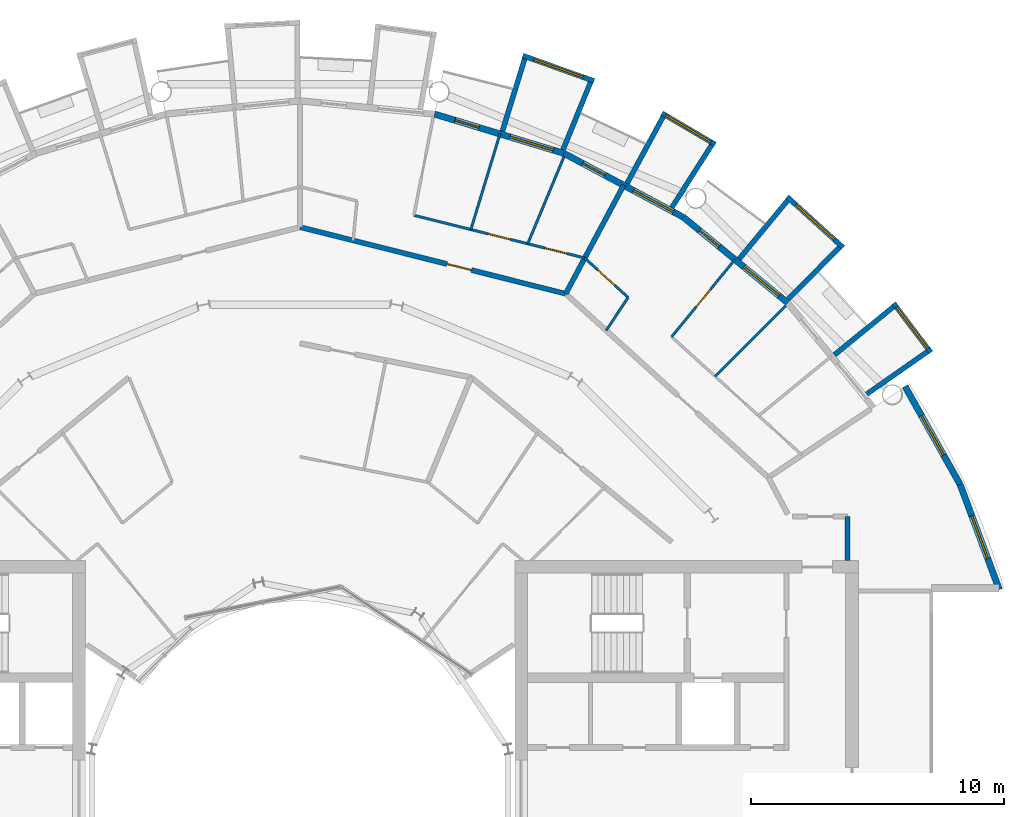
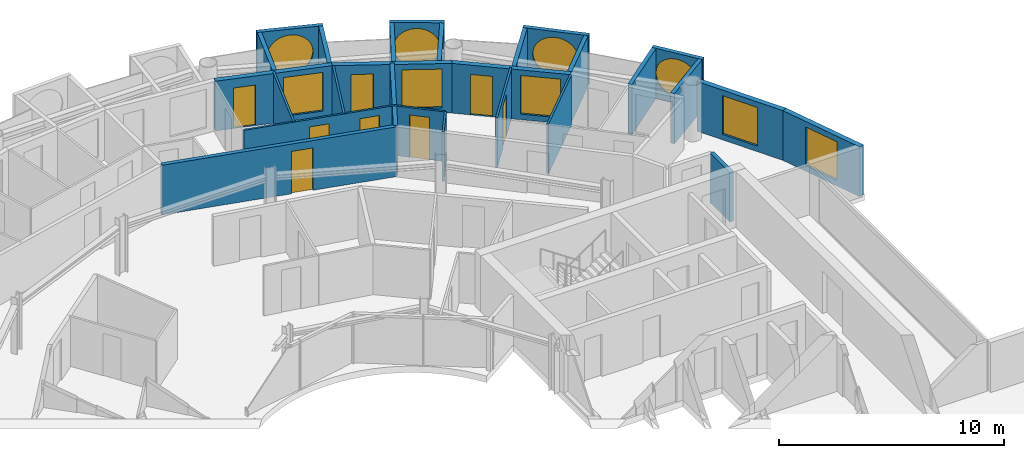
# One storey, part 23 of 26: 27 walls, 9 windows, 8 doors, 17 openings.
"""IFC4 building model written with IfcOpenShell, lengths in metres."""

from ifc_helpers import new_model, si_unit, direction, frame, frame_2d, origin, place, context, subcontext, project, spatial, rectangle, circle, extrude, material, layer, layer_set, type_object, element, fill, save


model = new_model("IFC4")

# Units and contexts
model_context = context("Model", 3, precision=1e-05, world=origin(), true_north=direction((0.0, 1.0)))
body_context = subcontext(model_context, "Body", "Model", "MODEL_VIEW")
ifc_project = project(units=[si_unit("LENGTHUNIT", "METRE"), si_unit("AREAUNIT", "SQUARE_METRE"), si_unit("VOLUMEUNIT", "CUBIC_METRE"), si_unit("PLANEANGLEUNIT", "RADIAN"), si_unit("MASSUNIT", "GRAM", prefix="KILO")], contexts=[model_context])

# Site, building, storey
site_placement = place(None, origin())
site = spatial("IfcSite", under=ifc_project, at=site_placement, CompositionType="ELEMENT")
building_placement = place(site_placement, origin())
building = spatial("IfcBuilding", under=site, at=building_placement, Name="Maasbend Ring Residences", CompositionType="ELEMENT")
storey_placement = place(building_placement, frame((0.0, 0.0, 161.60009765625)))
storey = spatial("IfcBuildingStorey", under=building, at=storey_placement, Name="L46", CompositionType="ELEMENT", Elevation=161.60009765625)

# Wall
ifc_material_1 = material(Name="Concrete C30/37", Category="concrete")
ifc_layer_1 = layer(ifc_material_1, 0.199951171875)
ifc_layer_set_1 = layer_set([ifc_layer_1], Name="Concrete C30/37")
wall_type_1 = type_object("IfcWallType", Name="CORRIDOR WALL 200 CONCRETE", PredefinedType="PARTITIONING", material=ifc_layer_set_1)
wall_1_placement = place(storey_placement, frame((21.675048828125, 9.10009765625, 0.0), z_axis=(0.0, 0.0, 1.0), x_axis=(0.0, 1.0, 0.0)))
element("IfcWall", 1, at=wall_1_placement, inside=storey, type_object=wall_type_1, Name="U-L46-w012", PredefinedType="PARTITIONING", context=body_context, shape_type="SweptSolid", body=[
    extrude(rectangle(XDim=1.75, YDim=0.199951171875, at=frame_2d((0.875, 0.0))), origin(), (0.0, 0.0, 1.0), 2.699951171875),
])

# Wall, opening, door
wall_2_placement = place(storey_placement, frame((0.0, 22.300048828125, 0.0), z_axis=(0.0, 0.0, 1.0), x_axis=(0.969975381822, -0.243203122222, 0.0)))
wall_2 = element("IfcWall", 2, at=wall_2_placement, inside=storey, type_object=wall_type_1, Name="U-L46-w106", PredefinedType="PARTITIONING", context=body_context, shape_type="SweptSolid", body=[
    extrude(rectangle(XDim=10.842529296875, YDim=0.199951171875, at=frame_2d((5.42138671875, 0.0))), origin(), (0.0, 0.0, 1.0), 2.699951171875),
])
opening_1_placement = place(wall_2_placement, frame((6.001953125, 0.0, 0.0)))
opening_1 = element("IfcOpeningElement", 3, at=opening_1_placement, cuts=wall_2, Name="Opening D-4606", PredefinedType="OPENING", context=body_context, shape_type="SweptSolid", body=[
    extrude(rectangle(XDim=1.0, YDim=2.300048828125, at=frame_2d((0.5, 1.14990234375))), frame((0.0, 0.10986328125, 0.0), z_axis=(0.0, -1.0, 0.0), x_axis=(1.0, 0.0, 0.0)), (0.0, 0.0, 1.0), 0.219970703125),
])
ifc_material_2 = material(Name="Timber, fire-rated, painted", Category="wood")
door_type_1 = type_object("IfcDoorType", Name="FLAT ENTRANCE DOOR 1000 X 2300 FIRE-RATED", OperationType="NOTDEFINED", PredefinedType="DOOR", material=ifc_material_2)
door_1_placement = place(opening_1_placement, origin())
door_1 = element("IfcDoor", 4, at=door_1_placement, inside=storey, type_object=door_type_1, Name="D-4606", OperationType="SINGLE_SWING_RIGHT", OverallHeight=2.300048828125, OverallWidth=1.0, PredefinedType="DOOR", context=body_context, shape_type="SweptSolid", body=[
    extrude(rectangle(XDim=1.0, YDim=2.300048828125, at=frame_2d((0.5, 1.14990234375))), frame((0.0, 0.02490234375, 0.0), z_axis=(0.0, -1.0, 0.0), x_axis=(1.0, 0.0, 0.0)), (0.0, 0.0, 1.0), 0.050048828125),
])
fill(opening_1, door_1)

# Wall, opening, window
ifc_material_3 = material(Name="Pale anodised aluminium panel", Category="aluminium")
ifc_layer_2 = layer(ifc_material_3, 0.199951171875)
ifc_layer_set_2 = layer_set([ifc_layer_2], Name="EW-BOX")
wall_type_2 = type_object("IfcWallType", Name="EW-BOX", PredefinedType="SOLIDWALL", material=ifc_layer_set_2)
wall_3_placement = place(storey_placement, frame((24.971923828125, 17.3369140625, -0.030029296875), z_axis=(0.0, 0.0, 1.0), x_axis=(-0.602806268067, 0.797887588059, 0.0)))
wall_3 = element("IfcWall", 5, at=wall_3_placement, inside=storey, type_object=wall_type_2, Name="Box front N01", PredefinedType="SOLIDWALL", context=body_context, shape_type="SweptSolid", body=[
    extrude(rectangle(XDim=2.446533203125, YDim=0.199951171875, at=frame_2d((1.22314453125, 0.0))), origin(), (0.0, 0.0, 1.0), 2.72998046875),
])
opening_2_placement = place(wall_3_placement, frame((0.182861328125, 0.0, 0.330078125)))
opening_2 = element("IfcOpeningElement", 6, at=opening_2_placement, cuts=wall_3, Name="Opening W-RD", PredefinedType="OPENING", context=body_context, shape_type="SweptSolid", body=[
    extrude(circle(Radius=1.0400390625, at=frame_2d((1.0400390625, 1.0400390625))), frame((0.0, 0.10986328125, 0.0), z_axis=(0.0, -1.0, 0.0), x_axis=(1.0, 0.0, 0.0)), (0.0, 0.0, 1.0), 0.219970703125),
])
ifc_material_4 = material(Name="Aluminium and clear glass", Category="aluminium")
window_type_1 = type_object("IfcWindowType", Name="W-RD", PartitioningType="SINGLE_PANEL", PredefinedType="WINDOW", material=ifc_material_4)
window_1_placement = place(opening_2_placement, origin())
window_1 = element("IfcWindow", 7, at=window_1_placement, inside=storey, type_object=window_type_1, Name="Round window N01", OverallHeight=2.080078125, OverallWidth=2.080078125, PartitioningType="SINGLE_PANEL", PredefinedType="WINDOW", context=body_context, shape_type="SweptSolid", body=[
    extrude(circle(Radius=1.0400390625, at=frame_2d((1.0400390625, 1.0400390625))), frame((0.0, 0.030029296875, 0.0), z_axis=(0.0, -1.0, 0.0), x_axis=(1.0, 0.0, 0.0)), (0.0, 0.0, 1.0), 0.06005859375),
])
fill(opening_2, window_1)

# Walls
wall_4_placement = place(storey_placement, frame((22.43310546875, 15.68798828125, -0.030029296875), z_axis=(0.0, 0.0, 1.0), x_axis=(0.819373043115, 0.573260687834, 0.0)))
element("IfcWall", 8, at=wall_4_placement, inside=storey, type_object=wall_type_2, Name="Box side wall N01 left", PredefinedType="SOLIDWALL", context=body_context, shape_type="SweptSolid", body=[
    extrude(rectangle(XDim=2.92529296875, YDim=0.199951171875, at=frame_2d((1.462646484375, 0.0))), origin(), (0.0, 0.0, 1.0), 2.72998046875),
])
wall_5_placement = place(storey_placement, frame((21.155029296875, 17.24609375, -0.030029296875), z_axis=(0.0, 0.0, 1.0), x_axis=(0.775179004516, 0.631741648902, 0.0)))
element("IfcWall", 9, at=wall_5_placement, inside=storey, type_object=wall_type_2, Name="Box side wall N01 right", PredefinedType="SOLIDWALL", context=body_context, shape_type="SweptSolid", body=[
    extrude(rectangle(XDim=3.005859375, YDim=0.199951171875, at=frame_2d((1.5029296875, 0.0))), origin(), (0.0, 0.0, 1.0), 2.72998046875),
])

# Wall, opening, window
wall_6_placement = place(storey_placement, frame((21.5, 21.492919921875, -0.030029296875), z_axis=(0.0, 0.0, 1.0), x_axis=(-0.740998365753, 0.671506829416, 0.0)))
wall_6 = element("IfcWall", 10, at=wall_6_placement, inside=storey, type_object=wall_type_2, Name="Box front N03", PredefinedType="SOLIDWALL", context=body_context, shape_type="SweptSolid", body=[
    extrude(rectangle(XDim=2.9931640625, YDim=0.199951171875, at=frame_2d((1.49658203125, 0.0))), origin(), (0.0, 0.0, 1.0), 2.72998046875),
])
opening_3_placement = place(wall_6_placement, frame((0.45654296875, 0.0, 0.330078125)))
opening_3 = element("IfcOpeningElement", 11, at=opening_3_placement, cuts=wall_6, Name="Opening W-RD", PredefinedType="OPENING", context=body_context, shape_type="SweptSolid", body=[
    extrude(circle(Radius=1.0400390625, at=frame_2d((1.0400390625, 1.0400390625))), frame((0.0, 0.10986328125, 0.0), z_axis=(0.0, -1.0, 0.0), x_axis=(1.0, 0.0, 0.0)), (0.0, 0.0, 1.0), 0.219970703125),
])
window_2_placement = place(opening_3_placement, origin())
window_2 = element("IfcWindow", 12, at=window_2_placement, inside=storey, type_object=window_type_1, Name="Round window N03", OverallHeight=2.080078125, OverallWidth=2.080078125, PartitioningType="SINGLE_PANEL", PredefinedType="WINDOW", context=body_context, shape_type="SweptSolid", body=[
    extrude(circle(Radius=1.0400390625, at=frame_2d((1.0400390625, 1.0400390625))), frame((0.0, 0.030029296875, 0.0), z_axis=(0.0, -1.0, 0.0), x_axis=(1.0, 0.0, 0.0)), (0.0, 0.0, 1.0), 0.06005859375),
])
fill(opening_3, window_2)

# Walls
wall_7_placement = place(storey_placement, frame((19.322998046875, 19.449951171875, -0.030029296875), z_axis=(0.0, 0.0, 1.0), x_axis=(0.704476739375, 0.709727076896, 0.0)))
element("IfcWall", 13, at=wall_7_placement, inside=storey, type_object=wall_type_2, Name="Box side wall N03 left", PredefinedType="SOLIDWALL", context=body_context, shape_type="SweptSolid", body=[
    extrude(rectangle(XDim=2.883056640625, YDim=0.199951171875, at=frame_2d((1.44140625, 0.0))), origin(), (0.0, 0.0, 1.0), 2.72998046875),
])
wall_8_placement = place(storey_placement, frame((17.384033203125, 21.041015625, -0.030029296875), z_axis=(0.0, 0.0, 1.0), x_axis=(0.63709551667, 0.770784861449, 0.0)))
element("IfcWall", 14, at=wall_8_placement, inside=storey, type_object=wall_type_2, Name="Box side wall N03 right", PredefinedType="SOLIDWALL", context=body_context, shape_type="SweptSolid", body=[
    extrude(rectangle(XDim=3.005859375, YDim=0.199951171875, at=frame_2d((1.5029296875, 0.0))), origin(), (0.0, 0.0, 1.0), 2.72998046875),
])

# Wall, opening, window
wall_9_placement = place(storey_placement, frame((16.43603515625, 25.573974609375, -0.030029296875), z_axis=(0.0, 0.0, 1.0), x_axis=(-0.862403467503, 0.506221551535, 0.0)))
wall_9 = element("IfcWall", 15, at=wall_9_placement, inside=storey, type_object=wall_type_2, Name="Box front N05", PredefinedType="SOLIDWALL", context=body_context, shape_type="SweptSolid", body=[
    extrude(rectangle(XDim=2.445556640625, YDim=0.199951171875, at=frame_2d((1.22265625, 0.0))), origin(), (0.0, 0.0, 1.0), 2.72998046875),
])
opening_4_placement = place(wall_9_placement, frame((0.182861328125, 0.0, 0.330078125)))
opening_4 = element("IfcOpeningElement", 16, at=opening_4_placement, cuts=wall_9, Name="Opening W-RD", PredefinedType="OPENING", context=body_context, shape_type="SweptSolid", body=[
    extrude(circle(Radius=1.0400390625, at=frame_2d((1.0400390625, 1.0400390625))), frame((0.0, 0.10986328125, 0.0), z_axis=(0.0, -1.0, 0.0), x_axis=(1.0, 0.0, 0.0)), (0.0, 0.0, 1.0), 0.219970703125),
])
window_3_placement = place(opening_4_placement, origin())
window_3 = element("IfcWindow", 17, at=window_3_placement, inside=storey, type_object=window_type_1, Name="Round window N05", OverallHeight=2.080078125, OverallWidth=2.080078125, PartitioningType="SINGLE_PANEL", PredefinedType="WINDOW", context=body_context, shape_type="SweptSolid", body=[
    extrude(circle(Radius=1.0400390625, at=frame_2d((1.0400390625, 1.0400390625))), frame((0.0, 0.030029296875, 0.0), z_axis=(0.0, -1.0, 0.0), x_axis=(1.0, 0.0, 0.0)), (0.0, 0.0, 1.0), 0.06005859375),
])
fill(opening_4, window_3)

# Walls
wall_10_placement = place(storey_placement, frame((14.721923828125, 23.0791015625, -0.030029296875), z_axis=(0.0, 0.0, 1.0), x_axis=(0.537572179146, 0.843217737129, 0.0)))
element("IfcWall", 18, at=wall_10_placement, inside=storey, type_object=wall_type_2, Name="Box side wall N05 left", PredefinedType="SOLIDWALL", context=body_context, shape_type="SweptSolid", body=[
    extrude(rectangle(XDim=2.92431640625, YDim=0.199951171875, at=frame_2d((1.462158203125, 0.0))), origin(), (0.0, 0.0, 1.0), 2.72998046875),
])
wall_11_placement = place(storey_placement, frame((12.945068359375, 24.029052734375, -0.030029296875), z_axis=(0.0, 0.0, 1.0), x_axis=(0.474424310775, 0.88029629861, 0.0)))
element("IfcWall", 19, at=wall_11_placement, inside=storey, type_object=wall_type_2, Name="Box side wall N05 right", PredefinedType="SOLIDWALL", context=body_context, shape_type="SweptSolid", body=[
    extrude(rectangle(XDim=3.005859375, YDim=0.199951171875, at=frame_2d((1.5029296875, 0.0))), origin(), (0.0, 0.0, 1.0), 2.72998046875),
])

# Wall, opening, window
wall_12_placement = place(storey_placement, frame((11.637939453125, 28.083984375, -0.030029296875), z_axis=(0.0, 0.0, 1.0), x_axis=(-0.941461077774, 0.337121697664, 0.0)))
wall_12 = element("IfcWall", 20, at=wall_12_placement, inside=storey, type_object=wall_type_2, Name="Box front N07", PredefinedType="SOLIDWALL", context=body_context, shape_type="SweptSolid", body=[
    extrude(rectangle(XDim=2.9931640625, YDim=0.199951171875, at=frame_2d((1.49658203125, 0.0))), origin(), (0.0, 0.0, 1.0), 2.72998046875),
])
opening_5_placement = place(wall_12_placement, frame((0.45654296875, 0.0, 0.330078125)))
opening_5 = element("IfcOpeningElement", 21, at=opening_5_placement, cuts=wall_12, Name="Opening W-RD", PredefinedType="OPENING", context=body_context, shape_type="SweptSolid", body=[
    extrude(circle(Radius=1.0400390625, at=frame_2d((1.0400390625, 1.0400390625))), frame((0.0, 0.10986328125, 0.0), z_axis=(0.0, -1.0, 0.0), x_axis=(1.0, 0.0, 0.0)), (0.0, 0.0, 1.0), 0.219970703125),
])
window_4_placement = place(opening_5_placement, origin())
window_4 = element("IfcWindow", 22, at=window_4_placement, inside=storey, type_object=window_type_1, Name="Round window N07", OverallHeight=2.080078125, OverallWidth=2.080078125, PartitioningType="SINGLE_PANEL", PredefinedType="WINDOW", context=body_context, shape_type="SweptSolid", body=[
    extrude(circle(Radius=1.0400390625, at=frame_2d((1.0400390625, 1.0400390625))), frame((0.0, 0.030029296875, 0.0), z_axis=(0.0, -1.0, 0.0), x_axis=(1.0, 0.0, 0.0)), (0.0, 0.0, 1.0), 0.06005859375),
])
fill(opening_5, window_4)

# Walls
wall_13_placement = place(storey_placement, frame((10.408935546875, 25.364013671875, -0.030029296875), z_axis=(0.0, 0.0, 1.0), x_axis=(0.379509886562, 0.925187681501, 0.0)))
element("IfcWall", 23, at=wall_13_placement, inside=storey, type_object=wall_type_2, Name="Box side wall N07 left", PredefinedType="SOLIDWALL", context=body_context, shape_type="SweptSolid", body=[
    extrude(rectangle(XDim=2.882568359375, YDim=0.199951171875, at=frame_2d((1.44140625, 0.0))), origin(), (0.0, 0.0, 1.0), 2.72998046875),
])
wall_14_placement = place(storey_placement, frame((8.009033203125, 26.092041015625, -0.030029296875), z_axis=(0.0, 0.0, 1.0), x_axis=(0.293406695073, 0.955987715029, 0.0)))
element("IfcWall", 24, at=wall_14_placement, inside=storey, type_object=wall_type_2, Name="Box side wall N07 right", PredefinedType="SOLIDWALL", context=body_context, shape_type="SweptSolid", body=[
    extrude(rectangle(XDim=3.00634765625, YDim=0.199951171875, at=frame_2d((1.503173828125, 0.0))), origin(), (0.0, 0.0, 1.0), 2.72998046875),
])

# Wall, openings, door, window
ifc_material_5 = material(Name="Aluminium clad insulated panel", Category="aluminium")
ifc_layer_3 = layer(ifc_material_5, 0.25)
ifc_layer_set_3 = layer_set([ifc_layer_3], Name="EW-GL")
wall_type_3 = type_object("IfcWallType", Name="EW-GL", PredefinedType="SOLIDWALL", material=ifc_layer_set_3)
wall_15_placement = place(storey_placement, frame((19.303955078125, 19.303955078125, 0.0), z_axis=(0.0, 0.0, 1.0), x_axis=(-0.773019449054, 0.634382322723, 0.0)))
wall_15 = element("IfcWall", 25, at=wall_15_placement, inside=storey, type_object=wall_type_3, Name="External wall N02", PredefinedType="SOLIDWALL", context=body_context, shape_type="SweptSolid", body=[
    extrude(rectangle(XDim=5.351806640625, YDim=0.25, at=frame_2d((2.67578125, 0.0))), origin(), (0.0, 0.0, 1.0), 2.699951171875),
])
opening_6_placement = place(wall_15_placement, frame((0.441162109375, 0.0, 0.300048828125)))
opening_6 = element("IfcOpeningElement", 26, at=opening_6_placement, cuts=wall_15, Name="Opening W-BX", PredefinedType="OPENING", context=body_context, shape_type="SweptSolid", body=[
    extrude(rectangle(XDim=1.800048828125, YDim=2.10009765625, at=frame_2d((0.89990234375, 1.050048828125))), frame((0.0, 0.135009765625, 0.0), z_axis=(0.0, -1.0, 0.0), x_axis=(1.0, 0.0, 0.0)), (0.0, 0.0, 1.0), 0.27001953125),
])
opening_7_placement = place(wall_15_placement, frame((3.510498046875, 0.0, 0.0)))
opening_7 = element("IfcOpeningElement", 27, at=opening_7_placement, cuts=wall_15, Name="Opening D-LG", PredefinedType="OPENING", context=body_context, shape_type="SweptSolid", body=[
    extrude(rectangle(XDim=1.0, YDim=2.199951171875, at=frame_2d((0.5, 1.10009765625))), frame((0.0, 0.135009765625, 0.0), z_axis=(0.0, -1.0, 0.0), x_axis=(1.0, 0.0, 0.0)), (0.0, 0.0, 1.0), 0.27001953125),
])
ifc_material_6 = material(Name="Aluminium and clear glass", Category="aluminium")
door_type_2 = type_object("IfcDoorType", Name="D-LG", OperationType="SINGLE_SWING_LEFT", PredefinedType="DOOR", material=ifc_material_6)
door_2_placement = place(opening_7_placement, origin())
door_2 = element("IfcDoor", 28, at=door_2_placement, inside=storey, type_object=door_type_2, Name="Loggia door N04", OperationType="SINGLE_SWING_LEFT", OverallHeight=2.199951171875, OverallWidth=1.0, PredefinedType="DOOR", context=body_context, shape_type="SweptSolid", body=[
    extrude(rectangle(XDim=1.0, YDim=2.199951171875, at=frame_2d((0.5, 1.10009765625))), frame((0.0, 0.02490234375, 0.0), z_axis=(0.0, -1.0, 0.0), x_axis=(1.0, 0.0, 0.0)), (0.0, 0.0, 1.0), 0.050048828125),
])
fill(opening_7, door_2)
ifc_material_7 = material(Name="Aluminium and clear glass", Category="aluminium")
window_type_2 = type_object("IfcWindowType", Name="W-BX", PartitioningType="DOUBLE_PANEL_VERTICAL", PredefinedType="WINDOW", material=ifc_material_7)
window_5_placement = place(opening_6_placement, origin())
window_5 = element("IfcWindow", 29, at=window_5_placement, inside=storey, type_object=window_type_2, Name="Window N03 room to box", OverallHeight=2.10009765625, OverallWidth=1.800048828125, PartitioningType="SINGLE_PANEL", PredefinedType="WINDOW", context=body_context, shape_type="SweptSolid", body=[
    extrude(rectangle(XDim=1.800048828125, YDim=2.10009765625, at=frame_2d((0.89990234375, 1.050048828125))), frame((0.0, 0.030029296875, 0.0), z_axis=(0.0, -1.0, 0.0), x_axis=(1.0, 0.0, 0.0)), (0.0, 0.0, 1.0), 0.06005859375),
])
fill(opening_6, window_5)

wall_16_placement = place(storey_placement, frame((15.1669921875, 22.698974609375, 0.0), z_axis=(0.0, 0.0, 1.0), x_axis=(-0.881915646801, 0.471407246368, 0.0)))
wall_16 = element("IfcWall", 30, at=wall_16_placement, inside=storey, type_object=wall_type_3, Name="External wall N03", PredefinedType="SOLIDWALL", context=body_context, shape_type="SweptSolid", body=[
    extrude(rectangle(XDim=5.35205078125, YDim=0.25, at=frame_2d((2.676025390625, 0.0))), origin(), (0.0, 0.0, 1.0), 2.699951171875),
])
opening_8_placement = place(wall_16_placement, frame((0.441162109375, 0.0, 0.300048828125)))
opening_8 = element("IfcOpeningElement", 31, at=opening_8_placement, cuts=wall_16, Name="Opening W-BX", PredefinedType="OPENING", context=body_context, shape_type="SweptSolid", body=[
    extrude(rectangle(XDim=1.800048828125, YDim=2.10009765625, at=frame_2d((0.89990234375, 1.050048828125))), frame((0.0, 0.135009765625, 0.0), z_axis=(0.0, -1.0, 0.0), x_axis=(1.0, 0.0, 0.0)), (0.0, 0.0, 1.0), 0.27001953125),
])
opening_9_placement = place(wall_16_placement, frame((3.510498046875, 0.0, 0.0)))
opening_9 = element("IfcOpeningElement", 32, at=opening_9_placement, cuts=wall_16, Name="Opening D-LG", PredefinedType="OPENING", context=body_context, shape_type="SweptSolid", body=[
    extrude(rectangle(XDim=1.0, YDim=2.199951171875, at=frame_2d((0.5, 1.10009765625))), frame((0.0, 0.135009765625, 0.0), z_axis=(0.0, -1.0, 0.0), x_axis=(1.0, 0.0, 0.0)), (0.0, 0.0, 1.0), 0.27001953125),
])
door_3_placement = place(opening_9_placement, origin())
door_3 = element("IfcDoor", 33, at=door_3_placement, inside=storey, type_object=door_type_2, Name="Loggia door N06", OperationType="SINGLE_SWING_LEFT", OverallHeight=2.199951171875, OverallWidth=1.0, PredefinedType="DOOR", context=body_context, shape_type="SweptSolid", body=[
    extrude(rectangle(XDim=1.0, YDim=2.199951171875, at=frame_2d((0.5, 1.10009765625))), frame((0.0, 0.02490234375, 0.0), z_axis=(0.0, -1.0, 0.0), x_axis=(1.0, 0.0, 0.0)), (0.0, 0.0, 1.0), 0.050048828125),
])
fill(opening_9, door_3)
window_6_placement = place(opening_8_placement, origin())
window_6 = element("IfcWindow", 34, at=window_6_placement, inside=storey, type_object=window_type_2, Name="Window N05 room to box", OverallHeight=2.10009765625, OverallWidth=1.800048828125, PartitioningType="SINGLE_PANEL", PredefinedType="WINDOW", context=body_context, shape_type="SweptSolid", body=[
    extrude(rectangle(XDim=1.800048828125, YDim=2.10009765625, at=frame_2d((0.89990234375, 1.050048828125))), frame((0.0, 0.030029296875, 0.0), z_axis=(0.0, -1.0, 0.0), x_axis=(1.0, 0.0, 0.0)), (0.0, 0.0, 1.0), 0.06005859375),
])
fill(opening_8, window_6)

wall_17_placement = place(storey_placement, frame((10.447021484375, 25.221923828125, 0.0), z_axis=(0.0, 0.0, 1.0), x_axis=(-0.956965678721, 0.290201119486, 0.0)))
wall_17 = element("IfcWall", 35, at=wall_17_placement, inside=storey, type_object=wall_type_3, Name="External wall N04", PredefinedType="SOLIDWALL", context=body_context, shape_type="SweptSolid", body=[
    extrude(rectangle(XDim=5.351318359375, YDim=0.25, at=frame_2d((2.67578125, 0.0))), origin(), (0.0, 0.0, 1.0), 2.699951171875),
])
opening_10_placement = place(wall_17_placement, frame((0.441162109375, 0.0, 0.300048828125)))
opening_10 = element("IfcOpeningElement", 36, at=opening_10_placement, cuts=wall_17, Name="Opening W-BX", PredefinedType="OPENING", context=body_context, shape_type="SweptSolid", body=[
    extrude(rectangle(XDim=1.800048828125, YDim=2.10009765625, at=frame_2d((0.89990234375, 1.050048828125))), frame((0.0, 0.135009765625, 0.0), z_axis=(0.0, -1.0, 0.0), x_axis=(1.0, 0.0, 0.0)), (0.0, 0.0, 1.0), 0.27001953125),
])
opening_11_placement = place(wall_17_placement, frame((3.510498046875, 0.0, 0.0)))
opening_11 = element("IfcOpeningElement", 37, at=opening_11_placement, cuts=wall_17, Name="Opening D-LG", PredefinedType="OPENING", context=body_context, shape_type="SweptSolid", body=[
    extrude(rectangle(XDim=1.0, YDim=2.199951171875, at=frame_2d((0.5, 1.10009765625))), frame((0.0, 0.135009765625, 0.0), z_axis=(0.0, -1.0, 0.0), x_axis=(1.0, 0.0, 0.0)), (0.0, 0.0, 1.0), 0.27001953125),
])
door_4_placement = place(opening_11_placement, origin())
door_4 = element("IfcDoor", 38, at=door_4_placement, inside=storey, type_object=door_type_2, Name="Loggia door N08", OperationType="SINGLE_SWING_LEFT", OverallHeight=2.199951171875, OverallWidth=1.0, PredefinedType="DOOR", context=body_context, shape_type="SweptSolid", body=[
    extrude(rectangle(XDim=1.0, YDim=2.199951171875, at=frame_2d((0.5, 1.10009765625))), frame((0.0, 0.02490234375, 0.0), z_axis=(0.0, -1.0, 0.0), x_axis=(1.0, 0.0, 0.0)), (0.0, 0.0, 1.0), 0.050048828125),
])
fill(opening_11, door_4)
window_7_placement = place(opening_10_placement, origin())
window_7 = element("IfcWindow", 39, at=window_7_placement, inside=storey, type_object=window_type_2, Name="Window N07 room to box", OverallHeight=2.10009765625, OverallWidth=1.800048828125, PartitioningType="SINGLE_PANEL", PredefinedType="WINDOW", context=body_context, shape_type="SweptSolid", body=[
    extrude(rectangle(XDim=1.800048828125, YDim=2.10009765625, at=frame_2d((0.89990234375, 1.050048828125))), frame((0.0, 0.030029296875, 0.0), z_axis=(0.0, -1.0, 0.0), x_axis=(1.0, 0.0, 0.0)), (0.0, 0.0, 1.0), 0.06005859375),
])
fill(opening_10, window_7)

# Wall, opening, window
ifc_material_8 = material(Name="Aluminium clad insulated panel", Category="aluminium")
ifc_layer_4 = layer(ifc_material_8, 0.25)
ifc_layer_set_4 = layer_set([ifc_layer_4], Name="EW-HORN")
wall_type_4 = type_object("IfcWallType", Name="EW-HORN", PredefinedType="SOLIDWALL", material=ifc_layer_set_4)
wall_18_placement = place(storey_placement, frame((27.681884765625, 7.945068359375, 0.0), z_axis=(0.0, 0.0, 1.0), x_axis=(-0.349247811493, 0.937030397675, 0.0)))
wall_18 = element("IfcWall", 40, at=wall_18_placement, inside=storey, type_object=wall_type_4, Name="Horn wall 1.1", PredefinedType="SOLIDWALL", context=body_context, shape_type="SweptSolid", body=[
    extrude(rectangle(XDim=4.4521484375, YDim=0.25, at=frame_2d((2.22607421875, 0.0))), origin(), (0.0, 0.0, 1.0), 2.699951171875),
])
opening_12_placement = place(wall_18_placement, frame((1.32666015625, 0.0, 0.300048828125)))
opening_12 = element("IfcOpeningElement", 41, at=opening_12_placement, cuts=wall_18, Name="Opening W-BX", PredefinedType="OPENING", context=body_context, shape_type="SweptSolid", body=[
    extrude(rectangle(XDim=1.800048828125, YDim=2.10009765625, at=frame_2d((0.89990234375, 1.050048828125))), frame((0.0, 0.135009765625, 0.0), z_axis=(0.0, -1.0, 0.0), x_axis=(1.0, 0.0, 0.0)), (0.0, 0.0, 1.0), 0.27001953125),
])
window_8_placement = place(opening_12_placement, origin())
window_8 = element("IfcWindow", 42, at=window_8_placement, inside=storey, type_object=window_type_2, Name="Horn window 1.1", OverallHeight=2.10009765625, OverallWidth=1.800048828125, PartitioningType="SINGLE_PANEL", PredefinedType="WINDOW", context=body_context, shape_type="SweptSolid", body=[
    extrude(rectangle(XDim=1.800048828125, YDim=2.10009765625, at=frame_2d((0.89990234375, 1.050048828125))), frame((0.0, 0.030029296875, 0.0), z_axis=(0.0, -1.0, 0.0), x_axis=(1.0, 0.0, 0.0)), (0.0, 0.0, 1.0), 0.06005859375),
])
fill(opening_12, window_8)

wall_19_placement = place(storey_placement, frame((26.126953125, 12.116943359375, 0.0), z_axis=(0.0, 0.0, 1.0), x_axis=(-0.489696356642, 0.871893042919, 0.0)))
wall_19 = element("IfcWall", 43, at=wall_19_placement, inside=storey, type_object=wall_type_4, Name="Horn wall 1.2", PredefinedType="SOLIDWALL", context=body_context, shape_type="SweptSolid", body=[
    extrude(rectangle(XDim=4.45361328125, YDim=0.25, at=frame_2d((2.226806640625, 0.0))), origin(), (0.0, 0.0, 1.0), 2.699951171875),
])
opening_13_placement = place(wall_19_placement, frame((1.32666015625, 0.0, 0.300048828125)))
opening_13 = element("IfcOpeningElement", 44, at=opening_13_placement, cuts=wall_19, Name="Opening W-BX", PredefinedType="OPENING", context=body_context, shape_type="SweptSolid", body=[
    extrude(rectangle(XDim=1.800048828125, YDim=2.10009765625, at=frame_2d((0.89990234375, 1.050048828125))), frame((0.0, 0.135009765625, 0.0), z_axis=(0.0, -1.0, 0.0), x_axis=(1.0, 0.0, 0.0)), (0.0, 0.0, 1.0), 0.27001953125),
])
window_9_placement = place(opening_13_placement, origin())
window_9 = element("IfcWindow", 45, at=window_9_placement, inside=storey, type_object=window_type_2, Name="Horn window 1.2", OverallHeight=2.10009765625, OverallWidth=1.800048828125, PartitioningType="SINGLE_PANEL", PredefinedType="WINDOW", context=body_context, shape_type="SweptSolid", body=[
    extrude(rectangle(XDim=1.800048828125, YDim=2.10009765625, at=frame_2d((0.89990234375, 1.050048828125))), frame((0.0, 0.030029296875, 0.0), z_axis=(0.0, -1.0, 0.0), x_axis=(1.0, 0.0, 0.0)), (0.0, 0.0, 1.0), 0.06005859375),
])
fill(opening_13, window_9)

# Walls
ifc_material_9 = material(Name="Gypsum board on steel studs", Category="steel")
ifc_layer_5 = layer(ifc_material_9, 0.10009765625)
ifc_layer_set_5 = layer_set([ifc_layer_5], Name="PARTITION 100 GYPSUM")
wall_type_5 = type_object("IfcWallType", Name="PARTITION 100 GYPSUM", PredefinedType="PARTITIONING", material=ifc_layer_set_5)
wall_20_placement = place(storey_placement, frame((6.762939453125, 22.2060546875, 0.0), z_axis=(0.0, 0.0, 1.0), x_axis=(0.291291575636, 0.956634317785, 0.0)))
element("IfcWall", 46, at=wall_20_placement, inside=storey, type_object=wall_type_5, Name="U-L46-w073", PredefinedType="PARTITIONING", context=body_context, shape_type="SweptSolid", body=[
    extrude(rectangle(XDim=3.9619140625, YDim=0.10009765625, at=frame_2d((1.98095703125, 0.0))), origin(), (0.0, 0.0, 1.0), 2.699951171875),
])
wall_21_placement = place(storey_placement, frame((9.012939453125, 21.64208984375, 0.0), z_axis=(0.0, 0.0, 1.0), x_axis=(0.384420204655, 0.923158223845, 0.0)))
element("IfcWall", 47, at=wall_21_placement, inside=storey, type_object=wall_type_5, Name="U-L46-w076", PredefinedType="PARTITIONING", context=body_context, shape_type="SweptSolid", body=[
    extrude(rectangle(XDim=3.73046875, YDim=0.10009765625, at=frame_2d((1.865234375, 0.0))), origin(), (0.0, 0.0, 1.0), 2.699951171875),
])
wall_22_placement = place(storey_placement, frame((12.117919921875, 18.2109375, 0.0), z_axis=(0.0, 0.0, 1.0), x_axis=(0.554125989098, 0.832432813028, 0.0)))
element("IfcWall", 48, at=wall_22_placement, inside=storey, type_object=wall_type_5, Name="U-L46-w081", PredefinedType="PARTITIONING", context=body_context, shape_type="SweptSolid", body=[
    extrude(rectangle(XDim=1.5703125, YDim=0.10009765625, at=frame_2d((0.78515625, 0.0))), origin(), (0.0, 0.0, 1.0), 2.699951171875),
])

# Wall, opening, door
wall_23_placement = place(storey_placement, frame((14.708984375, 17.9580078125, 0.0), z_axis=(0.0, 0.0, 1.0), x_axis=(0.633590098448, 0.773668913133, 0.0)))
wall_23 = element("IfcWall", 49, at=wall_23_placement, inside=storey, type_object=wall_type_5, Name="U-L46-w084", PredefinedType="PARTITIONING", context=body_context, shape_type="SweptSolid", body=[
    extrude(rectangle(XDim=3.961669921875, YDim=0.10009765625, at=frame_2d((1.98095703125, 0.0))), origin(), (0.0, 0.0, 1.0), 2.699951171875),
])
opening_14_placement = place(wall_23_placement, frame((1.531005859375, 0.0, 0.0)))
opening_14 = element("IfcOpeningElement", 50, at=opening_14_placement, cuts=wall_23, Name="Opening D-4603", PredefinedType="OPENING", context=body_context, shape_type="SweptSolid", body=[
    extrude(rectangle(XDim=0.89990234375, YDim=2.300048828125, at=frame_2d((0.449951171875, 1.14990234375))), frame((0.0, 0.06005859375, 0.0), z_axis=(0.0, -1.0, 0.0), x_axis=(1.0, 0.0, 0.0)), (0.0, 0.0, 1.0), 0.1201171875),
])
ifc_material_10 = material(Name="Timber, painted", Category="wood")
door_type_3 = type_object("IfcDoorType", Name="INTERNAL DOOR 900 X 2300", OperationType="NOTDEFINED", PredefinedType="DOOR", material=ifc_material_10)
door_5_placement = place(opening_14_placement, origin())
door_5 = element("IfcDoor", 51, at=door_5_placement, inside=storey, type_object=door_type_3, Name="D-4603", OperationType="SINGLE_SWING_RIGHT", OverallHeight=2.300048828125, OverallWidth=0.89990234375, PredefinedType="DOOR", context=body_context, shape_type="SweptSolid", body=[
    extrude(rectangle(XDim=0.89990234375, YDim=2.300048828125, at=frame_2d((0.449951171875, 1.14990234375))), frame((0.0, 0.02490234375, 0.0), z_axis=(0.0, -1.0, 0.0), x_axis=(1.0, 0.0, 0.0)), (0.0, 0.0, 1.0), 0.050048828125),
])
fill(opening_14, door_5)

# Wall
wall_24_placement = place(storey_placement, frame((16.429931640625, 16.39794921875, 0.0), z_axis=(0.0, 0.0, 1.0), x_axis=(0.707722727509, 0.706490297858, 0.0)))
element("IfcWall", 52, at=wall_24_placement, inside=storey, type_object=wall_type_5, Name="U-L46-w086", PredefinedType="PARTITIONING", context=body_context, shape_type="SweptSolid", body=[
    extrude(rectangle(XDim=3.9619140625, YDim=0.10009765625, at=frame_2d((1.98095703125, 0.0))), origin(), (0.0, 0.0, 1.0), 2.699951171875),
])

# Wall, openings, doors
wall_25_placement = place(storey_placement, frame((4.507080078125, 22.77099609375, 0.0), z_axis=(0.0, 0.0, 1.0), x_axis=(0.970020829306, -0.243021790611, 0.0)))
wall_25 = element("IfcWall", 53, at=wall_25_placement, inside=storey, type_object=wall_type_5, Name="U-L46-w117", PredefinedType="PARTITIONING", context=body_context, shape_type="SweptSolid", body=[
    extrude(rectangle(XDim=6.970947265625, YDim=0.10009765625, at=frame_2d((3.4853515625, 0.0))), origin(), (0.0, 0.0, 1.0), 2.699951171875),
])
opening_15_placement = place(wall_25_placement, frame((3.031005859375, 0.0, 0.0)))
opening_15 = element("IfcOpeningElement", 54, at=opening_15_placement, cuts=wall_25, Name="Opening D-4609", PredefinedType="OPENING", context=body_context, shape_type="SweptSolid", body=[
    extrude(rectangle(XDim=0.89990234375, YDim=2.300048828125, at=frame_2d((0.449951171875, 1.14990234375))), frame((0.0, 0.06005859375, 0.0), z_axis=(0.0, -1.0, 0.0), x_axis=(1.0, 0.0, 0.0)), (0.0, 0.0, 1.0), 0.1201171875),
])
opening_16_placement = place(wall_25_placement, frame((5.35791015625, 0.0, 0.0)))
opening_16 = element("IfcOpeningElement", 55, at=opening_16_placement, cuts=wall_25, Name="Opening D-4610", PredefinedType="OPENING", context=body_context, shape_type="SweptSolid", body=[
    extrude(rectangle(XDim=0.89990234375, YDim=2.300048828125, at=frame_2d((0.449951171875, 1.14990234375))), frame((0.0, 0.06005859375, 0.0), z_axis=(0.0, -1.0, 0.0), x_axis=(1.0, 0.0, 0.0)), (0.0, 0.0, 1.0), 0.1201171875),
])
door_6_placement = place(opening_15_placement, origin())
door_6 = element("IfcDoor", 56, at=door_6_placement, inside=storey, type_object=door_type_3, Name="D-4609", OperationType="SINGLE_SWING_LEFT", OverallHeight=2.300048828125, OverallWidth=0.89990234375, PredefinedType="DOOR", context=body_context, shape_type="SweptSolid", body=[
    extrude(rectangle(XDim=0.89990234375, YDim=2.300048828125, at=frame_2d((0.449951171875, 1.14990234375))), frame((0.0, 0.02490234375, 0.0), z_axis=(0.0, -1.0, 0.0), x_axis=(1.0, 0.0, 0.0)), (0.0, 0.0, 1.0), 0.050048828125),
])
fill(opening_15, door_6)
door_7_placement = place(opening_16_placement, origin())
door_7 = element("IfcDoor", 57, at=door_7_placement, inside=storey, type_object=door_type_3, Name="D-4610", OperationType="SINGLE_SWING_RIGHT", OverallHeight=2.300048828125, OverallWidth=0.89990234375, PredefinedType="DOOR", context=body_context, shape_type="SweptSolid", body=[
    extrude(rectangle(XDim=0.89990234375, YDim=2.300048828125, at=frame_2d((0.449951171875, 1.14990234375))), frame((0.0, 0.02490234375, 0.0), z_axis=(0.0, -1.0, 0.0), x_axis=(1.0, 0.0, 0.0)), (0.0, 0.0, 1.0), 0.050048828125),
])
fill(opening_16, door_7)

# Wall, opening, door
wall_26_placement = place(storey_placement, frame((11.27099609375, 21.073974609375, 0.0), z_axis=(0.0, 0.0, 1.0), x_axis=(0.74087097024, -0.671647381783, 0.0)))
wall_26 = element("IfcWall", 58, at=wall_26_placement, inside=storey, type_object=wall_type_5, Name="U-L46-w118", PredefinedType="PARTITIONING", context=body_context, shape_type="SweptSolid", body=[
    extrude(rectangle(XDim=2.32421875, YDim=0.10009765625, at=frame_2d((1.162109375, 0.0))), origin(), (0.0, 0.0, 1.0), 2.699951171875),
])
opening_17_placement = place(wall_26_placement, frame((0.705078125, 0.0, 0.0)))
opening_17 = element("IfcOpeningElement", 59, at=opening_17_placement, cuts=wall_26, Name="Opening D-4602", PredefinedType="OPENING", context=body_context, shape_type="SweptSolid", body=[
    extrude(rectangle(XDim=0.89990234375, YDim=2.300048828125, at=frame_2d((0.449951171875, 1.14990234375))), frame((0.0, 0.06005859375, 0.0), z_axis=(0.0, -1.0, 0.0), x_axis=(1.0, 0.0, 0.0)), (0.0, 0.0, 1.0), 0.1201171875),
])
door_8_placement = place(opening_17_placement, origin())
door_8 = element("IfcDoor", 60, at=door_8_placement, inside=storey, type_object=door_type_3, Name="D-4602", OperationType="SINGLE_SWING_LEFT", OverallHeight=2.300048828125, OverallWidth=0.89990234375, PredefinedType="DOOR", context=body_context, shape_type="SweptSolid", body=[
    extrude(rectangle(XDim=0.89990234375, YDim=2.300048828125, at=frame_2d((0.449951171875, 1.14990234375))), frame((0.0, 0.02490234375, 0.0), z_axis=(0.0, -1.0, 0.0), x_axis=(1.0, 0.0, 0.0)), (0.0, 0.0, 1.0), 0.050048828125),
])
fill(opening_17, door_8)

# Wall
ifc_material_11 = material(Name="Concrete C30/37", Category="concrete")
ifc_layer_6 = layer(ifc_material_11, 0.199951171875)
ifc_layer_set_6 = layer_set([ifc_layer_6], Name="Concrete C30/37")
wall_type_6 = type_object("IfcWallType", Name="PARTY WALL 200 CONCRETE", PredefinedType="PARTITIONING", material=ifc_layer_set_6)
wall_27_placement = place(storey_placement, frame((10.51611328125, 19.6650390625, 0.0), z_axis=(0.0, 0.0, 1.0), x_axis=(0.471388689095, 0.881925565903, 0.0)))
element("IfcWall", 61, at=wall_27_placement, inside=storey, type_object=wall_type_6, Name="U-L46-w080", PredefinedType="PARTITIONING", context=body_context, shape_type="SweptSolid", body=[
    extrude(rectangle(XDim=4.874755859375, YDim=0.199951171875, at=frame_2d((2.4375, 0.0))), origin(), (0.0, 0.0, 1.0), 2.699951171875),
])

save(model, "model.ifc")
